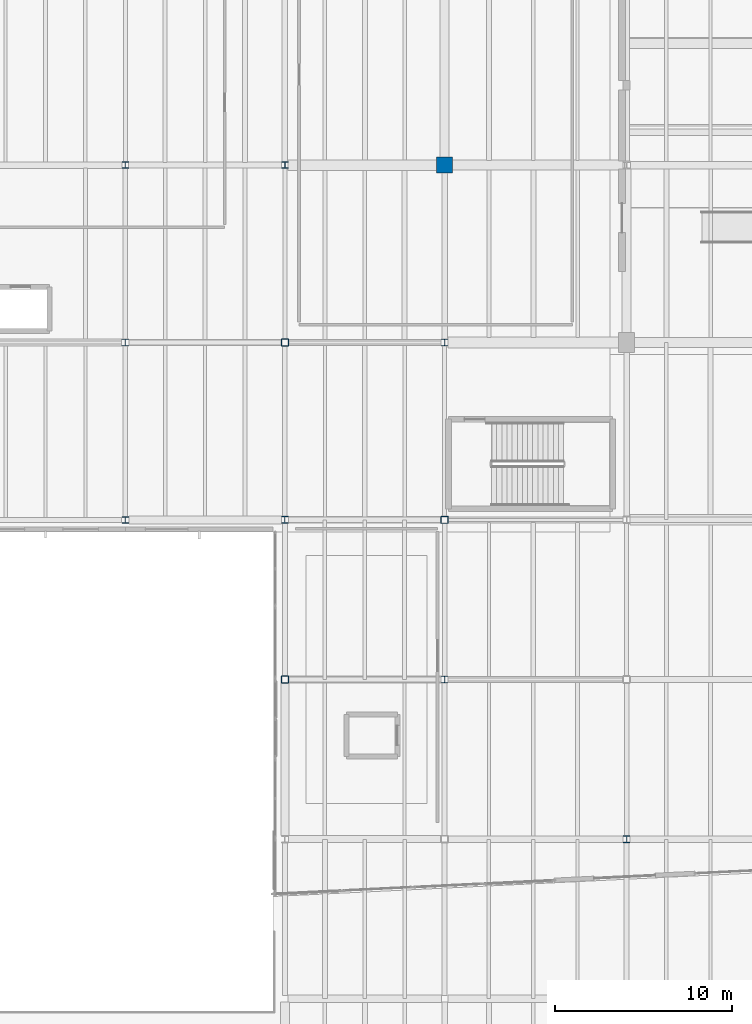
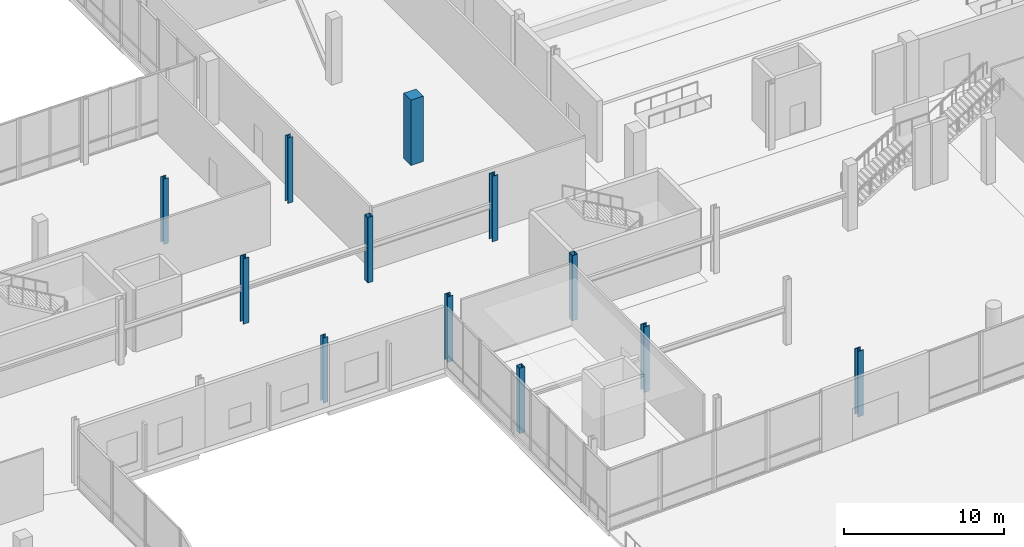
# One storey, part 4 of 88: 12 columns.
"""IFC4 building model written with IfcOpenShell, lengths in metres."""

import ifcopenshell
import ifcopenshell.guid

model = None  # the IFC model being written
_history = None  # IfcOwnerHistory: only IFC2X3 demands one
_inside = {}  # id of a spatial element -> (the spatial element, [elements in it])
_under = {}  # id of a project, library or spatial element -> (it, [spatial elements below it])
_declared = {}  # id of a project -> (the project, [libraries it declares])
_typed = {}  # id of a type object -> (the type object, [elements of that type])
_made_of = {}  # id of a material, layer set ... -> (it, [elements and type objects made of it])


def new_model(schema):
    """Start an empty IFC model of exactly this schema.

    Asked for "IFC4X3", IfcOpenShell would pick the latest addendum, in which some entities
    have other attributes; the version numbers below select the first issue.
    IFC2X3 requires an IfcOwnerHistory on every rooted entity: one is made here for all.
    """
    global model, _history
    if schema == "IFC4X3":
        model = ifcopenshell.file(schema_version=(4, 3, 0, 0))
    else:
        model = ifcopenshell.file(schema=schema)
    _inside.clear()
    _under.clear()
    _declared.clear()
    _typed.clear()
    _made_of.clear()
    _history = None
    if model.schema == "IFC2X3":
        org = make("IfcOrganization", Name="unknown")
        user = make(
            "IfcPersonAndOrganization",
            ThePerson=make("IfcPerson", FamilyName="unknown"),
            TheOrganization=org,
        )
        app = make(
            "IfcApplication",
            ApplicationDeveloper=org,
            Version="unknown",
            ApplicationFullName="unknown",
            ApplicationIdentifier="unknown",
        )
        _history = make(
            "IfcOwnerHistory",
            OwningUser=user,
            OwningApplication=app,
            ChangeAction="ADDED",
            CreationDate=0,
        )
    return model


def make(cls, **values):
    """One entity of the class cls with the attributes given. An attribute that is None is left unset."""
    return model.create_entity(
        cls, **{name: value for name, value in values.items() if value is not None}
    )


def rooted(cls, **values):
    """An entity with a GlobalId (a new one), such as an element, a storey or a relation."""
    return make(cls, GlobalId=ifcopenshell.guid.new(), OwnerHistory=_history, **values)


def si_unit(unit_type, name, prefix=None):
    """IfcSIUnit, for example si_unit("LENGTHUNIT", "METRE", prefix="MILLI")."""
    return make("IfcSIUnit", UnitType=unit_type, Prefix=prefix, Name=name)


def assignment(units):
    """IfcUnitAssignment: the units of a project."""
    return None if units is None else make("IfcUnitAssignment", Units=units)


def point(xyz):
    """IfcCartesianPoint."""
    return None if xyz is None else make("IfcCartesianPoint", Coordinates=xyz)


def direction(xyz):
    """IfcDirection."""
    return None if xyz is None else make("IfcDirection", DirectionRatios=xyz)


def frame(location, z_axis=None, x_axis=None):
    """IfcAxis2Placement3D, a coordinate frame: its origin and axes. An axis left out is left unset."""
    return make(
        "IfcAxis2Placement3D",
        Location=point(location),
        Axis=direction(z_axis),
        RefDirection=direction(x_axis),
    )


def frame_2d(location, x_axis=None):
    """IfcAxis2Placement2D, a coordinate frame in the plane: its origin and x axis."""
    return make(
        "IfcAxis2Placement2D", Location=point(location), RefDirection=direction(x_axis)
    )


def origin():
    """The frame at (0, 0, 0) with its axes left unset."""
    return frame((0.0, 0.0, 0.0))


def origin_2d():
    """The frame at (0, 0) in the plane with its x axis left unset."""
    return frame_2d((0.0, 0.0))


def place(relative_to, where):
    """IfcLocalPlacement: puts the frame where relative to a parent placement (None: the world)."""
    return make(
        "IfcLocalPlacement", PlacementRelTo=relative_to, RelativePlacement=where
    )


def context(
    kind, dimensions, precision=None, world=None, true_north=None, identifier=None
):
    """IfcGeometricRepresentationContext, for example the 3D "Model" context."""
    return make(
        "IfcGeometricRepresentationContext",
        ContextIdentifier=identifier,
        ContextType=kind,
        CoordinateSpaceDimension=dimensions,
        Precision=precision,
        WorldCoordinateSystem=world,
        TrueNorth=true_north,
    )


def subcontext(parent, identifier, kind, view, scale=None):
    """IfcGeometricRepresentationSubContext, for example "Body" below "Model"."""
    return make(
        "IfcGeometricRepresentationSubContext",
        ContextIdentifier=identifier,
        ContextType=kind,
        ParentContext=parent,
        TargetScale=scale,
        TargetView=view,
    )


def project(units=None, contexts=None):
    """IfcProject with its units and contexts."""
    return rooted(
        "IfcProject",
        Name="project",
        RepresentationContexts=contexts,
        UnitsInContext=assignment(units),
    )


def spatial(cls, under=None, at=None, **own):
    """A site, building, storey or space (cls), placed at a placement, below another one or the project."""
    s = rooted(cls, ObjectPlacement=at, **own)
    if under is not None:
        _under.setdefault(under.id(), (under, []))[1].append(s)
    return s


def profile(cls, at=None, kind="AREA", **sizes):
    """A parametric profile (cls). Its sizes go by their IFC names, for example OverallWidth=200.0."""
    return make(cls, ProfileType=kind, Position=at, **sizes)


def rectangle(**sizes):
    """IfcRectangleProfileDef."""
    return profile("IfcRectangleProfileDef", **sizes)


def hollow_rectangle(**sizes):
    """IfcRectangleHollowProfileDef."""
    return profile("IfcRectangleHollowProfileDef", **sizes)


def i_section(**sizes):
    """IfcIShapeProfileDef."""
    return profile("IfcIShapeProfileDef", **sizes)


def extrude(swept, where, along, depth):
    """IfcExtrudedAreaSolid: the profile swept, set in the frame where, extruded along a direction by depth."""
    return make(
        "IfcExtrudedAreaSolid",
        SweptArea=swept,
        Position=where,
        ExtrudedDirection=direction(along),
        Depth=depth,
    )


def shape(context_of_items, identifier, shape_type, items):
    """IfcShapeRepresentation: the items that make up one representation, for example the "Body"."""
    return make(
        "IfcShapeRepresentation",
        ContextOfItems=context_of_items,
        RepresentationIdentifier=identifier,
        RepresentationType=shape_type,
        Items=items,
    )


def material(Name=None, Category=None):
    """IfcMaterial."""
    return make("IfcMaterial", Name=Name, Category=Category)


def material_profile(
    of_material, cross_section, Name=None, Category=None, Priority=None
):
    """IfcMaterialProfile: a cross section and its material."""
    return make(
        "IfcMaterialProfile",
        Name=Name,
        Material=of_material,
        Profile=cross_section,
        Priority=Priority,
        Category=Category,
    )


def profile_set(profiles, Name=None, composite=None):
    """IfcMaterialProfileSet."""
    return make(
        "IfcMaterialProfileSet",
        Name=Name,
        MaterialProfiles=profiles,
        CompositeProfile=composite,
    )


def made_of(thing, what):
    """Note that an element or type object is made of a material, layer set ...; save() writes the relation."""
    if what is not None:
        _made_of.setdefault(what.id(), (what, []))[1].append(thing)
    return thing


def type_object(cls, material=None, **own):
    """A type object (cls), such as IfcWallType, which elements share."""
    return made_of(rooted(cls, **own), material)


def element(
    cls,
    number,
    at=None,
    inside=None,
    cuts=None,
    type_object=None,
    material=None,
    context=None,
    identifier="Body",
    shape_type=None,
    held_by="IfcProductDefinitionShape",
    body=None,
    shapes=None,
    **own,
):
    """One element of the class cls, such as IfcWall. Its Tag is "e" and its number.

    at: its placement. inside: the storey or other place that contains it. cuts: it is an
    opening in that element (IfcRelVoidsElement). A single representation is given by context,
    identifier, shape_type and body (its items); several are given by shapes. held_by: the class
    of the entity that holds the representations. save() writes the other relations.
    """
    e = rooted(cls, Tag="e%d" % number, ObjectPlacement=at, **own)
    if body is not None:
        shapes = [shape(context, identifier, shape_type, body)]
    if shapes is not None:
        e.Representation = make(held_by, Representations=shapes)
    if inside is not None:
        _inside.setdefault(inside.id(), (inside, []))[1].append(e)
    if cuts is not None:
        rooted(
            "IfcRelVoidsElement", RelatingBuildingElement=cuts, RelatedOpeningElement=e
        )
    if type_object is not None:
        _typed.setdefault(type_object.id(), (type_object, []))[1].append(e)
    return made_of(e, material)


def aggregate(whole, parts):
    """IfcRelAggregates: a whole, such as a stair, and the parts it consists of."""
    return rooted("IfcRelAggregates", RelatingObject=whole, RelatedObjects=parts)


def save(model, path):
    """Write the relations noted so far, then the file.

    IfcRelAggregates (storeys below a building ...), IfcRelContainedInSpatialStructure (elements
    in a storey), IfcRelDefinesByType, IfcRelAssociatesMaterial and IfcRelDeclares: one each for
    every whole, place, type object, material and project.
    """
    for whole, parts in _under.values():
        aggregate(whole, parts)
    for where, things in _inside.values():
        rooted(
            "IfcRelContainedInSpatialStructure",
            RelatedElements=things,
            RelatingStructure=where,
        )
    for kind, things in _typed.values():
        rooted("IfcRelDefinesByType", RelatedObjects=things, RelatingType=kind)
    for what, things in _made_of.values():
        rooted("IfcRelAssociatesMaterial", RelatedObjects=things, RelatingMaterial=what)
    for by, libraries in _declared.values():
        rooted("IfcRelDeclares", RelatingContext=by, RelatedDefinitions=libraries)
    model.write(path)


model = new_model("IFC4")

# Units and contexts
model_context = context("Model", 3, precision=1e-05, world=origin(), true_north=direction((0.0, 1.0)))
body_context = subcontext(model_context, "Body", "Model", "MODEL_VIEW")
ifc_project = project(units=[si_unit("LENGTHUNIT", "METRE"), si_unit("AREAUNIT", "SQUARE_METRE"), si_unit("VOLUMEUNIT", "CUBIC_METRE"), si_unit("PLANEANGLEUNIT", "RADIAN"), si_unit("MASSUNIT", "GRAM", prefix="KILO")], contexts=[model_context])

# Site, building, storey
site_placement = place(None, origin())
site = spatial("IfcSite", under=ifc_project, at=site_placement, CompositionType="ELEMENT")
building_placement = place(site_placement, origin())
building = spatial("IfcBuilding", under=site, at=building_placement, Name="Trimount Lyric Opera House", CompositionType="ELEMENT")
storey_placement = place(building_placement, origin())
storey = spatial("IfcBuildingStorey", under=building, at=storey_placement, Name="L00", CompositionType="ELEMENT", Elevation=0.0)

# Columns
ifc_material_1 = material(Name="Steel ASTM A992 Grade 50", Category="steel")
ifc_material_profile_1 = material_profile(ifc_material_1, i_section(OverallWidth=0.406005859375, OverallDepth=0.4169921875, WebThickness=0.02978515625, FlangeThickness=0.048095703125, FilletRadius=0.01806640625, at=origin_2d()), Name="W14X257")
ifc_profile_set_1 = profile_set([ifc_material_profile_1], Name="Steel ASTM A992 Grade 50")
column_type_1 = type_object("IfcColumnType", Name="C-02", PredefinedType="COLUMN", material=ifc_profile_set_1)
for number, where, z_axis, x_axis, name in (
    (1, (36.0, 54.0, 0.0), (0.0, 0.0, 1.0), (1.0, 0.0, 0.0), "L00 column 5/G"),
    (2, (45.0, 44.0, 0.0), (0.0, 0.0, 1.0), (1.0, 0.0, 0.0), "L00 column 6/F"),
    (3, (54.0, 35.0, 0.0), (0.0, 0.0, 1.0), (1.0, 0.0, 0.0), "L00 column 7/E"),
    (4, (54.0, 54.0, 0.0), (0.0, 0.0, 1.0), (1.0, 0.0, 0.0), "L00 column 7/G"),
    (5, (64.260009765625, 26.0, 0.0), (0.0, 0.0, 1.0), (1.0, 0.0, 0.0), "L00 column 8/D"),
):
    element("IfcColumn", number, at=place(storey_placement, frame(where, z_axis=z_axis, x_axis=x_axis)), inside=storey, type_object=column_type_1, Name=name, PredefinedType="COLUMN", context=body_context, shape_type="SweptSolid", body=[
        extrude(i_section(OverallWidth=0.406005859375, OverallDepth=0.4169921875, WebThickness=0.02978515625, FlangeThickness=0.048095703125, FilletRadius=0.01806640625, at=origin_2d()), origin(), (0.0, 0.0, 1.0), 5.0),
    ])
ifc_material_2 = material(Name="Steel ASTM A992 Grade 50", Category="steel")
ifc_material_profile_2 = material_profile(ifc_material_2, i_section(OverallWidth=0.373046875, OverallDepth=0.367919921875, WebThickness=0.014892578125, FlangeThickness=0.02392578125, FilletRadius=0.014892578125, at=origin_2d()), Name="W14X120")
ifc_profile_set_2 = profile_set([ifc_material_profile_2], Name="Steel ASTM A992 Grade 50")
column_type_2 = type_object("IfcColumnType", Name="C-04", PredefinedType="COLUMN", material=ifc_profile_set_2)
column_1_placement = place(storey_placement, frame((45.0, 64.0, 0.0), z_axis=(0.0, 0.0, 1.0), x_axis=(1.0, 0.0, 0.0)))
element("IfcColumn", 6, at=column_1_placement, inside=storey, type_object=column_type_2, Name="L00 column 6/H", PredefinedType="COLUMN", context=body_context, shape_type="SweptSolid", body=[
    extrude(i_section(OverallWidth=0.373046875, OverallDepth=0.367919921875, WebThickness=0.014892578125, FlangeThickness=0.02392578125, FilletRadius=0.014892578125, at=origin_2d()), origin(), (0.0, 0.0, 1.0), 5.0),
])
ifc_material_3 = material(Name="Steel ASTM A992 Grade 50", Category="steel")
ifc_material_profile_3 = material_profile(ifc_material_3, i_section(OverallWidth=0.367919921875, OverallDepth=0.35595703125, WebThickness=0.01123046875, FlangeThickness=0.01806640625, FilletRadius=0.014892578125, at=origin_2d()), Name="W14X90")
ifc_profile_set_3 = profile_set([ifc_material_profile_3], Name="Steel ASTM A992 Grade 50")
column_type_3 = type_object("IfcColumnType", Name="C-05", PredefinedType="COLUMN", material=ifc_profile_set_3)
column_2_placement = place(storey_placement, frame((36.0, 44.0, 0.0), z_axis=(0.0, 0.0, 1.0), x_axis=(1.0, 0.0, 0.0)))
element("IfcColumn", 7, at=column_2_placement, inside=storey, type_object=column_type_3, Name="L00 crystal roof column 36/44", PredefinedType="COLUMN", context=body_context, shape_type="SweptSolid", body=[
    extrude(i_section(OverallWidth=0.367919921875, OverallDepth=0.35595703125, WebThickness=0.01123046875, FlangeThickness=0.01806640625, FilletRadius=0.014892578125, at=origin_2d()), origin(), (0.0, 0.0, 1.0), 5.0),
])
ifc_material_4 = material(Name="Steel ASTM A500 Grade C", Category="steel")
ifc_material_profile_4 = material_profile(ifc_material_4, hollow_rectangle(XDim=0.406494140625, YDim=0.406494140625, WallThickness=0.014892578125, InnerFilletRadius=0.01513671875, OuterFilletRadius=0.030029296875, at=origin_2d()), Name="HSS406.4X406.4X15.9")
ifc_profile_set_4 = profile_set([ifc_material_profile_4], Name="Steel ASTM A500 Grade C")
column_type_4 = type_object("IfcColumnType", Name="C-07", PredefinedType="COLUMN", material=ifc_profile_set_4)
for number, where, z_axis, x_axis, name in (
    (8, (45.0, 35.0, 0.0), (0.0, 0.0, 1.0), (1.0, 0.0, 0.0), "L00 column 6/E"),
    (9, (45.0, 54.0, 0.0), (0.0, 0.0, 1.0), (1.0, 0.0, 0.0), "L00 column 6/G"),
    (10, (54.0, 44.0, 0.0), (0.0, 0.0, 1.0), (1.0, 0.0, 0.0), "L00 column 7/F"),
):
    element("IfcColumn", number, at=place(storey_placement, frame(where, z_axis=z_axis, x_axis=x_axis)), inside=storey, type_object=column_type_4, Name=name, PredefinedType="COLUMN", context=body_context, shape_type="SweptSolid", body=[
        extrude(hollow_rectangle(XDim=0.406494140625, YDim=0.406494140625, WallThickness=0.014892578125, InnerFilletRadius=0.01513671875, OuterFilletRadius=0.030029296875, at=origin_2d()), origin(), (0.0, 0.0, 1.0), 5.0),
    ])
ifc_material_5 = material(Name="Steel ASTM A992 Grade 50", Category="steel")
ifc_material_profile_5 = material_profile(ifc_material_5, i_section(OverallWidth=0.367919921875, OverallDepth=0.35595703125, WebThickness=0.01123046875, FlangeThickness=0.01806640625, FilletRadius=0.014892578125, at=origin_2d()), Name="W14X90")
ifc_profile_set_5 = profile_set([ifc_material_profile_5], Name="Steel ASTM A992 Grade 50")
column_type_5 = type_object("IfcColumnType", Name="C-09", PredefinedType="COLUMN", material=ifc_profile_set_5)
column_3_placement = place(storey_placement, frame((36.0, 64.0, 0.0), z_axis=(0.0, 0.0, 1.0), x_axis=(1.0, 0.0, 0.0)))
element("IfcColumn", 11, at=column_3_placement, inside=storey, type_object=column_type_5, Name="L00 column 5/H", PredefinedType="COLUMN", context=body_context, shape_type="SweptSolid", body=[
    extrude(i_section(OverallWidth=0.367919921875, OverallDepth=0.35595703125, WebThickness=0.01123046875, FlangeThickness=0.01806640625, FilletRadius=0.014892578125, at=origin_2d()), origin(), (0.0, 0.0, 1.0), 5.0),
])
ifc_material_6 = material(Name="Concrete C50/60", Category="concrete")
ifc_material_profile_6 = material_profile(ifc_material_6, rectangle(XDim=0.89990234375, YDim=0.89990234375, at=origin_2d()), Name="RC900X900")
ifc_profile_set_6 = profile_set([ifc_material_profile_6], Name="Concrete C50/60")
column_type_6 = type_object("IfcColumnType", Name="C-13", PredefinedType="COLUMN", material=ifc_profile_set_6)
column_4_placement = place(storey_placement, frame((54.0, 64.0, 0.0), z_axis=(0.0, 0.0, 1.0), x_axis=(1.0, 0.0, 0.0)))
element("IfcColumn", 12, at=column_4_placement, inside=storey, type_object=column_type_6, Name="L00 column 7/H", PredefinedType="COLUMN", context=body_context, shape_type="SweptSolid", body=[
    extrude(rectangle(XDim=0.89990234375, YDim=0.89990234375, at=origin_2d()), origin(), (0.0, 0.0, 1.0), 5.0),
])

save(model, "model.ifc")
